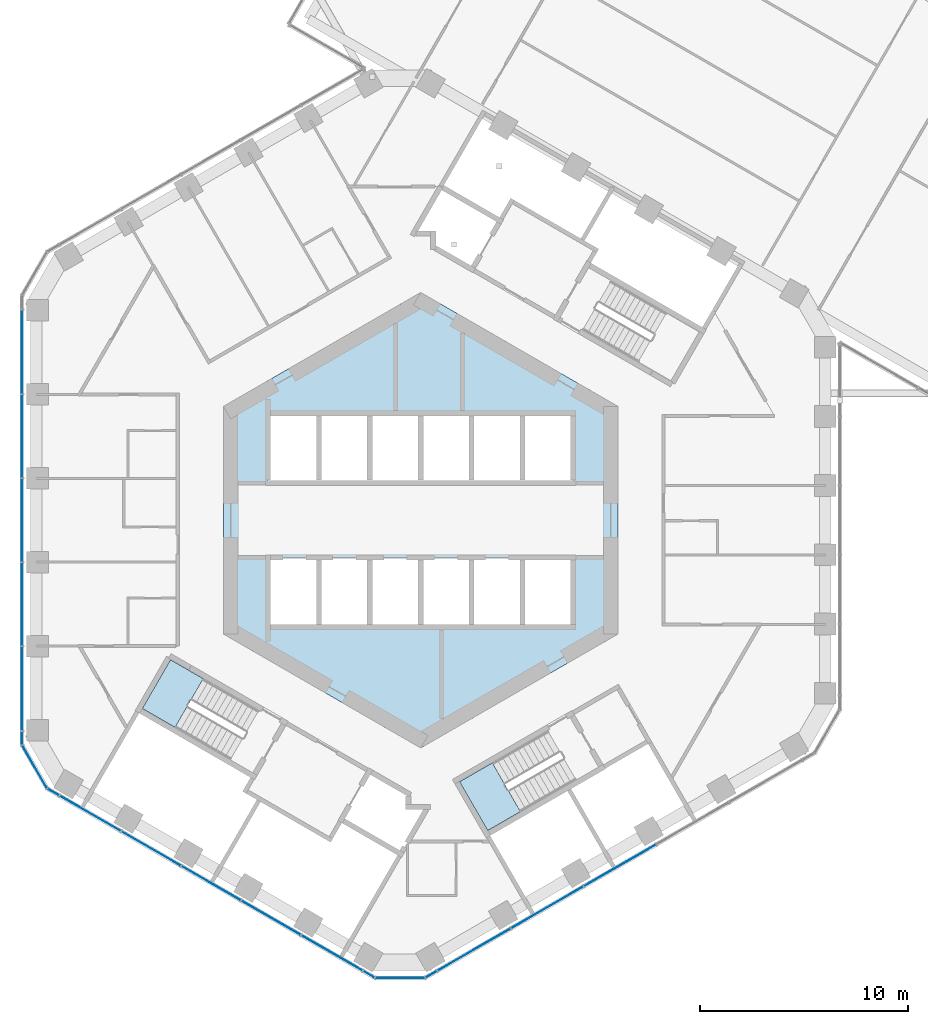
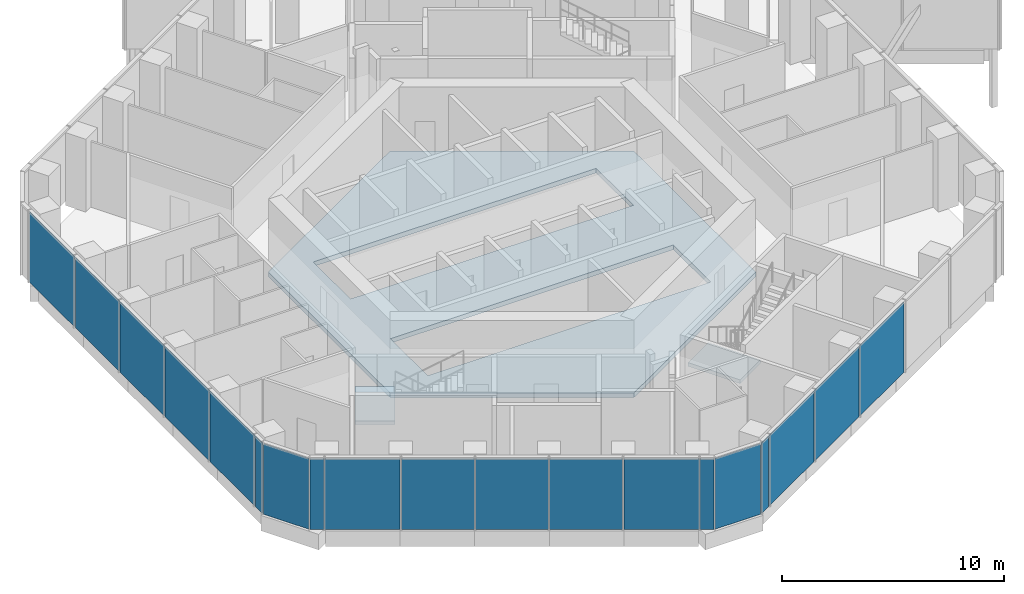
# One storey, part 12 of 25: 19 plates, 3 slabs, 7 elements without a shape of their own.
"""IFC4 building model written with IfcOpenShell, lengths in metres."""

from ifc_helpers import new_model, si_unit, direction, frame, origin, origin_2d, place, context, subcontext, project, spatial, polyline, rectangle, outline, extrude, material, layer, layer_set, type_object, element, aggregate, save


model = new_model("IFC4")

# Units and contexts
model_context = context("Model", 3, precision=1e-05, world=origin(), true_north=direction((0.0, 1.0)))
body_context = subcontext(model_context, "Body", "Model", "MODEL_VIEW")
ifc_project = project(units=[si_unit("LENGTHUNIT", "METRE"), si_unit("AREAUNIT", "SQUARE_METRE"), si_unit("VOLUMEUNIT", "CUBIC_METRE"), si_unit("PLANEANGLEUNIT", "RADIAN"), si_unit("MASSUNIT", "GRAM", prefix="KILO")], contexts=[model_context])

# Site, building, storey
site_placement = place(None, origin())
site = spatial("IfcSite", under=ifc_project, at=site_placement, CompositionType="ELEMENT")
building_placement = place(site_placement, origin())
building = spatial("IfcBuilding", under=site, at=building_placement, Name="Ayvan Gate Tower", CompositionType="ELEMENT")
storey_placement = place(building_placement, frame((0.0, 0.0, 139.89990234375)))
storey = spatial("IfcBuildingStorey", under=building, at=storey_placement, Name="L37", CompositionType="ELEMENT", Elevation=139.89990234375)

# Slab
ifc_material_1 = material(Name="Concrete C40/50", Category="concrete")
ifc_layer_1 = layer(ifc_material_1, 0.25)
ifc_layer_set_1 = layer_set([ifc_layer_1], Name="Concrete C40/50")
slab_type_1 = type_object("IfcSlabType", Name="SL-CORE-250", PredefinedType="FLOOR", material=ifc_layer_set_1)
slab_1_placement = place(storey_placement, frame((0.0, 0.0, -0.25)))
element("IfcSlab", 1, at=slab_1_placement, inside=storey, type_object=slab_type_1, Name="CS-L37", PredefinedType="FLOOR", context=body_context, shape_type="SweptSolid", body=[
    extrude(outline(polyline([(9.5, -5.48486328125), (0.0, -10.9697265625), (-9.5, -5.48486328125), (-9.5, 5.48486328125), (0.0, 10.9697265625), (9.5, 5.48486328125), (9.5, -5.48486328125)]), holes=[polyline([(-7.35009765625, -1.800048828125), (-7.35009765625, -5.14990234375), (7.35009765625, -5.14990234375), (7.35009765625, -1.800048828125), (-7.35009765625, -1.800048828125)]), polyline([(-7.35009765625, 5.14990234375), (-7.35009765625, 1.800048828125), (7.35009765625, 1.800048828125), (7.35009765625, 5.14990234375), (-7.35009765625, 5.14990234375)])]), origin(), (0.0, 0.0, 1.0), 0.25),
])

# Stair, slab
stair_type = type_object("IfcStairType", Name="ST-EXIT", PredefinedType="HALF_TURN_STAIR", material=ifc_material_1)
stair_1_placement = place(storey_placement, origin())
stair_1 = element("IfcStair", 2, at=stair_1_placement, inside=storey, type_object=stair_type, Name="L37 Exit Stair S2", PredefinedType="HALF_TURN_STAIR")
ifc_layer_2 = layer(ifc_material_1, 0.199951171875)
ifc_layer_set_2 = layer_set([ifc_layer_2], Name="Concrete C40/50")
slab_type_2 = type_object("IfcSlabType", Name="SL-LANDING-200", PredefinedType="LANDING", material=ifc_layer_set_2)
slab_2_placement = place(storey_placement, frame((0.0, 0.0, 1.800048828125)))
slab_2 = element("IfcSlab", 3, at=slab_2_placement, type_object=slab_type_2, Name="STS2 landing 1", PredefinedType="LANDING", context=body_context, shape_type="SweptSolid", body=[
    extrude(outline(polyline([(-10.473388671875, -7.630615234375), (-12.049560546875, -6.720458984375), (-13.404541015625, -9.0673828125), (-11.828369140625, -9.9775390625), (-10.473388671875, -7.630615234375)])), origin(), (0.0, 0.0, 1.0), 0.199951171875),
])
aggregate(stair_1, [slab_2])

stair_2_placement = place(storey_placement, origin())
stair_2 = element("IfcStair", 4, at=stair_2_placement, inside=storey, type_object=stair_type, Name="L37 Exit Stair S3", PredefinedType="HALF_TURN_STAIR")
slab_3_placement = place(storey_placement, frame((0.0, 0.0, 1.800048828125)))
slab_3 = element("IfcSlab", 5, at=slab_3_placement, type_object=slab_type_2, Name="STS3 landing 1", PredefinedType="LANDING", context=body_context, shape_type="SweptSolid", body=[
    extrude(outline(polyline([(3.449951171875, -11.685546875), (1.873779296875, -12.595458984375), (3.228759765625, -14.9423828125), (4.804931640625, -14.032470703125), (3.449951171875, -11.685546875)])), origin(), (0.0, 0.0, 1.0), 0.199951171875),
])
aggregate(stair_2, [slab_3])

# Curtain wall, plates
ifc_material_2 = material(Name="Bronze anodised aluminium", Category="aluminium")
ifc_layer_3 = layer(ifc_material_2, 0.199951171875)
ifc_layer_set_3 = layer_set([ifc_layer_3], Name="Bronze anodised aluminium")
curtain_wall_type_1 = type_object("IfcCurtainWallType", Name="Stick curtain wall CW-1", PredefinedType="NOTDEFINED", material=ifc_layer_set_3)
curtain_wall_1_placement = place(storey_placement, origin())
curtain_wall_1 = element("IfcCurtainWall", 6, at=curtain_wall_1_placement, inside=storey, type_object=curtain_wall_type_1, Name="Stick curtain wall CW-1 L37", PredefinedType="NOTDEFINED")
ifc_material_3 = material(Name="Clear low-iron laminated glass", Category="glass")
ifc_layer_4 = layer(ifc_material_3, 0.028076171875)
ifc_layer_set_4 = layer_set([ifc_layer_4], Name="Clear low-iron laminated glass")
plate_type_1 = type_object("IfcPlateType", Name="Stick curtain wall CW-1 glass panel", PredefinedType="CURTAIN_PANEL", material=ifc_layer_set_4)
plate_1_placement = place(storey_placement, frame((-19.194091796875, 8.12451171875, 0.000244140625), z_axis=(0.0, 0.0, 1.0), x_axis=(0.0, -1.0, 0.0)))
plate_1 = element("IfcPlate", 7, at=plate_1_placement, type_object=plate_type_1, Name="CW-1 glass panel 1", PredefinedType="CURTAIN_PANEL", context=body_context, shape_type="SweptSolid", body=[
    extrude(rectangle(XDim=4.055908203125, YDim=0.028076171875, at=origin_2d()), origin(), (0.0, 0.0, 1.0), 3.8798828125),
])
plate_2_placement = place(storey_placement, frame((-19.194091796875, 4.04443359375, 0.000244140625), z_axis=(0.0, 0.0, 1.0), x_axis=(0.0, -1.0, 0.0)))
plate_2 = element("IfcPlate", 8, at=plate_2_placement, type_object=plate_type_1, Name="CW-1 glass panel 2", PredefinedType="CURTAIN_PANEL", context=body_context, shape_type="SweptSolid", body=[
    extrude(rectangle(XDim=3.98388671875, YDim=0.028076171875, at=origin_2d()), origin(), (0.0, 0.0, 1.0), 3.8798828125),
])
plate_3_placement = place(storey_placement, frame((-19.194091796875, 0.0, 0.000244140625), z_axis=(0.0, 0.0, 1.0), x_axis=(0.0, -1.0, 0.0)))
plate_3 = element("IfcPlate", 9, at=plate_3_placement, type_object=plate_type_1, Name="CW-1 glass panel 3", PredefinedType="CURTAIN_PANEL", context=body_context, shape_type="SweptSolid", body=[
    extrude(rectangle(XDim=3.985107421875, YDim=0.028076171875, at=origin_2d()), origin(), (0.0, 0.0, 1.0), 3.8798828125),
])
plate_4_placement = place(storey_placement, frame((-19.194091796875, -4.04443359375, 0.000244140625), z_axis=(0.0, 0.0, 1.0), x_axis=(0.0, -1.0, 0.0)))
plate_4 = element("IfcPlate", 10, at=plate_4_placement, type_object=plate_type_1, Name="CW-1 glass panel 4", PredefinedType="CURTAIN_PANEL", context=body_context, shape_type="SweptSolid", body=[
    extrude(rectangle(XDim=3.98388671875, YDim=0.028076171875, at=origin_2d()), origin(), (0.0, 0.0, 1.0), 3.8798828125),
])
plate_5_placement = place(storey_placement, frame((-19.194091796875, -8.12451171875, 0.000244140625), z_axis=(0.0, 0.0, 1.0), x_axis=(0.0, -1.0, 0.0)))
plate_5 = element("IfcPlate", 11, at=plate_5_placement, type_object=plate_type_1, Name="CW-1 glass panel 5", PredefinedType="CURTAIN_PANEL", context=body_context, shape_type="SweptSolid", body=[
    extrude(rectangle(XDim=4.05615234375, YDim=0.028076171875, at=origin_2d()), origin(), (0.0, 0.0, 1.0), 3.8798828125),
])
aggregate(curtain_wall_1, [plate_1, plate_2, plate_3, plate_4, plate_5])

curtain_wall_2_placement = place(storey_placement, origin())
curtain_wall_2 = element("IfcCurtainWall", 12, at=curtain_wall_2_placement, inside=storey, type_object=curtain_wall_type_1, Name="Stick curtain wall CW-1 L37", PredefinedType="NOTDEFINED")
plate_6_placement = place(storey_placement, frame((-15.923095703125, -14.114990234375, 0.000244140625), z_axis=(0.0, 0.0, 1.0), x_axis=(0.866025403784, -0.5, 0.0)))
plate_6 = element("IfcPlate", 13, at=plate_6_placement, type_object=plate_type_1, Name="CW-1 glass panel 1", PredefinedType="CURTAIN_PANEL", context=body_context, shape_type="SweptSolid", body=[
    extrude(rectangle(XDim=3.406005859375, YDim=0.028076171875, at=origin_2d()), origin(), (0.0, 0.0, 1.0), 3.8798828125),
])
plate_7_placement = place(storey_placement, frame((-12.97900390625, -15.81494140625, 0.000244140625), z_axis=(0.0, 0.0, 1.0), x_axis=(0.866025403784, -0.5, 0.0)))
plate_7 = element("IfcPlate", 14, at=plate_7_placement, type_object=plate_type_1, Name="CW-1 glass panel 2", PredefinedType="CURTAIN_PANEL", context=body_context, shape_type="SweptSolid", body=[
    extrude(rectangle(XDim=3.27294921875, YDim=0.028076171875, at=origin_2d()), origin(), (0.0, 0.0, 1.0), 3.8798828125),
])
plate_8_placement = place(storey_placement, frame((-10.092529296875, -17.4814453125, 0.000244140625), z_axis=(0.0, 0.0, 1.0), x_axis=(0.866025403784, -0.5, 0.0)))
plate_8 = element("IfcPlate", 15, at=plate_8_placement, type_object=plate_type_1, Name="CW-1 glass panel 3", PredefinedType="CURTAIN_PANEL", context=body_context, shape_type="SweptSolid", body=[
    extrude(rectangle(XDim=3.27294921875, YDim=0.028076171875, at=origin_2d()), origin(), (0.0, 0.0, 1.0), 3.8798828125),
])
plate_9_placement = place(storey_placement, frame((-7.2060546875, -19.14794921875, 0.000244140625), z_axis=(0.0, 0.0, 1.0), x_axis=(0.866025403784, -0.5, 0.0)))
plate_9 = element("IfcPlate", 16, at=plate_9_placement, type_object=plate_type_1, Name="CW-1 glass panel 4", PredefinedType="CURTAIN_PANEL", context=body_context, shape_type="SweptSolid", body=[
    extrude(rectangle(XDim=3.27294921875, YDim=0.028076171875, at=origin_2d()), origin(), (0.0, 0.0, 1.0), 3.8798828125),
])
plate_10_placement = place(storey_placement, frame((-4.26220703125, -20.847412109375, 0.000244140625), z_axis=(0.0, 0.0, 1.0), x_axis=(0.866025403784, -0.5, 0.0)))
plate_10 = element("IfcPlate", 17, at=plate_10_placement, type_object=plate_type_1, Name="CW-1 glass panel 5", PredefinedType="CURTAIN_PANEL", context=body_context, shape_type="SweptSolid", body=[
    extrude(rectangle(XDim=3.405517578125, YDim=0.028076171875, at=origin_2d()), origin(), (0.0, 0.0, 1.0), 3.8798828125),
])
aggregate(curtain_wall_2, [plate_6, plate_7, plate_8, plate_9, plate_10])

curtain_wall_3_placement = place(storey_placement, origin())
curtain_wall_3 = element("IfcCurtainWall", 18, at=curtain_wall_3_placement, inside=storey, type_object=curtain_wall_type_1, Name="Stick curtain wall CW-1 L37", PredefinedType="NOTDEFINED")
plate_11_placement = place(storey_placement, frame((2.56103515625, -20.684814453125, 0.000244140625), z_axis=(0.0, 0.0, 1.0), x_axis=(0.866025403784, 0.5, 0.0)))
plate_11 = element("IfcPlate", 19, at=plate_11_placement, type_object=plate_type_1, Name="CW-1 glass panel 1", PredefinedType="CURTAIN_PANEL", context=body_context, shape_type="SweptSolid", body=[
    extrude(rectangle(XDim=4.055908203125, YDim=0.028076171875, at=origin_2d()), origin(), (0.0, 0.0, 1.0), 3.8798828125),
])
plate_12_placement = place(storey_placement, frame((6.094482421875, -18.644775390625, 0.000244140625), z_axis=(0.0, 0.0, 1.0), x_axis=(0.866025403784, 0.5, 0.0)))
plate_12 = element("IfcPlate", 20, at=plate_12_placement, type_object=plate_type_1, Name="CW-1 glass panel 2", PredefinedType="CURTAIN_PANEL", context=body_context, shape_type="SweptSolid", body=[
    extrude(rectangle(XDim=3.98388671875, YDim=0.028076171875, at=origin_2d()), origin(), (0.0, 0.0, 1.0), 3.8798828125),
])
plate_13_placement = place(storey_placement, frame((9.59716796875, -16.62255859375, 0.000244140625), z_axis=(0.0, 0.0, 1.0), x_axis=(0.866025403784, 0.5, 0.0)))
plate_13 = element("IfcPlate", 21, at=plate_13_placement, type_object=plate_type_1, Name="CW-1 glass panel 3", PredefinedType="CURTAIN_PANEL", context=body_context, shape_type="SweptSolid", body=[
    extrude(rectangle(XDim=3.985107421875, YDim=0.028076171875, at=origin_2d()), origin(), (0.0, 0.0, 1.0), 3.8798828125),
])
aggregate(curtain_wall_3, [plate_11, plate_12, plate_13])

ifc_layer_5 = layer(ifc_material_2, 0.199951171875)
ifc_layer_set_5 = layer_set([ifc_layer_5], Name="Bronze anodised aluminium")
curtain_wall_type_2 = type_object("IfcCurtainWallType", Name="Stick curtain wall CW-6", PredefinedType="NOTDEFINED", material=ifc_layer_set_5)
curtain_wall_4_placement = place(storey_placement, origin())
curtain_wall_4 = element("IfcCurtainWall", 22, at=curtain_wall_4_placement, inside=storey, type_object=curtain_wall_type_2, Name="Stick curtain wall CW-6 L37", PredefinedType="NOTDEFINED")
ifc_layer_6 = layer(ifc_material_3, 0.028076171875)
ifc_layer_set_6 = layer_set([ifc_layer_6], Name="Clear low-iron laminated glass")
plate_type_2 = type_object("IfcPlateType", Name="Stick curtain wall CW-6 glass panel", PredefinedType="CURTAIN_PANEL", material=ifc_layer_set_6)
plate_14_placement = place(storey_placement, frame((-19.194091796875, -10.4951171875, 0.000244140625), z_axis=(0.0, 0.0, 1.0), x_axis=(0.0, -1.0, 0.0)))
plate_14 = element("IfcPlate", 23, at=plate_14_placement, type_object=plate_type_2, Name="CW-6 glass panel 1", PredefinedType="CURTAIN_PANEL", context=body_context, shape_type="SweptSolid", body=[
    extrude(rectangle(XDim=0.625, YDim=0.028076171875, at=origin_2d()), origin(), (0.0, 0.0, 1.0), 3.8798828125),
])
plate_15_placement = place(storey_placement, frame((-18.590576171875, -11.8779296875, 0.000244140625), z_axis=(0.0, 0.0, 1.0), x_axis=(0.5, -0.866025403784, 0.0)))
plate_15 = element("IfcPlate", 24, at=plate_15_placement, type_object=plate_type_2, Name="CW-6 glass panel 2", PredefinedType="CURTAIN_PANEL", context=body_context, shape_type="SweptSolid", body=[
    extrude(rectangle(XDim=2.364501953125, YDim=0.028076171875, at=origin_2d()), origin(), (0.0, 0.0, 1.0), 3.8798828125),
])
plate_16_placement = place(storey_placement, frame((-17.694580078125, -13.09228515625, 0.000244140625), z_axis=(0.0, 0.0, 1.0), x_axis=(0.866025403784, -0.5, 0.0)))
plate_16 = element("IfcPlate", 25, at=plate_16_placement, type_object=plate_type_2, Name="CW-6 glass panel 3", PredefinedType="CURTAIN_PANEL", context=body_context, shape_type="SweptSolid", body=[
    extrude(rectangle(XDim=0.625, YDim=0.028076171875, at=origin_2d()), origin(), (0.0, 0.0, 1.0), 3.8798828125),
])
aggregate(curtain_wall_4, [plate_14, plate_15, plate_16])

curtain_wall_5_placement = place(storey_placement, origin())
curtain_wall_5 = element("IfcCurtainWall", 26, at=curtain_wall_5_placement, inside=storey, type_object=curtain_wall_type_2, Name="Stick curtain wall CW-6 L37", PredefinedType="NOTDEFINED")
plate_17_placement = place(storey_placement, frame((-2.490966796875, -21.8701171875, 0.000244140625), z_axis=(0.0, 0.0, 1.0), x_axis=(0.866025403784, -0.5, 0.0)))
plate_17 = element("IfcPlate", 27, at=plate_17_placement, type_object=plate_type_2, Name="CW-6 glass panel 1", PredefinedType="CURTAIN_PANEL", context=body_context, shape_type="SweptSolid", body=[
    extrude(rectangle(XDim=0.625, YDim=0.028076171875, at=origin_2d()), origin(), (0.0, 0.0, 1.0), 3.8798828125),
])
plate_18_placement = place(storey_placement, frame((-0.991455078125, -22.038818359375, 0.000244140625), z_axis=(0.0, 0.0, 1.0), x_axis=(1.0, 0.0, 0.0)))
plate_18 = element("IfcPlate", 28, at=plate_18_placement, type_object=plate_type_2, Name="CW-6 glass panel 2", PredefinedType="CURTAIN_PANEL", context=body_context, shape_type="SweptSolid", body=[
    extrude(rectangle(XDim=2.364501953125, YDim=0.028076171875, at=origin_2d()), origin(), (0.0, 0.0, 1.0), 3.8798828125),
])
plate_19_placement = place(storey_placement, frame((0.508056640625, -21.8701171875, 0.000244140625), z_axis=(0.0, 0.0, 1.0), x_axis=(0.866025403784, 0.5, 0.0)))
plate_19 = element("IfcPlate", 29, at=plate_19_placement, type_object=plate_type_2, Name="CW-6 glass panel 3", PredefinedType="CURTAIN_PANEL", context=body_context, shape_type="SweptSolid", body=[
    extrude(rectangle(XDim=0.625, YDim=0.028076171875, at=origin_2d()), origin(), (0.0, 0.0, 1.0), 3.8798828125),
])
aggregate(curtain_wall_5, [plate_17, plate_18, plate_19])

save(model, "model.ifc")
